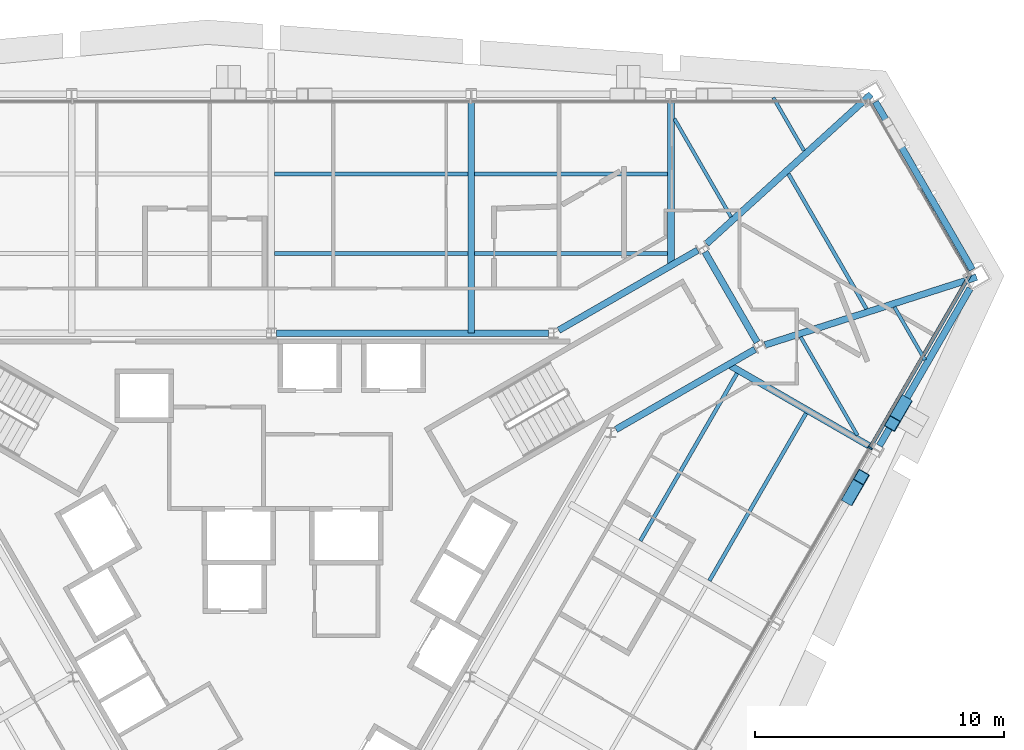
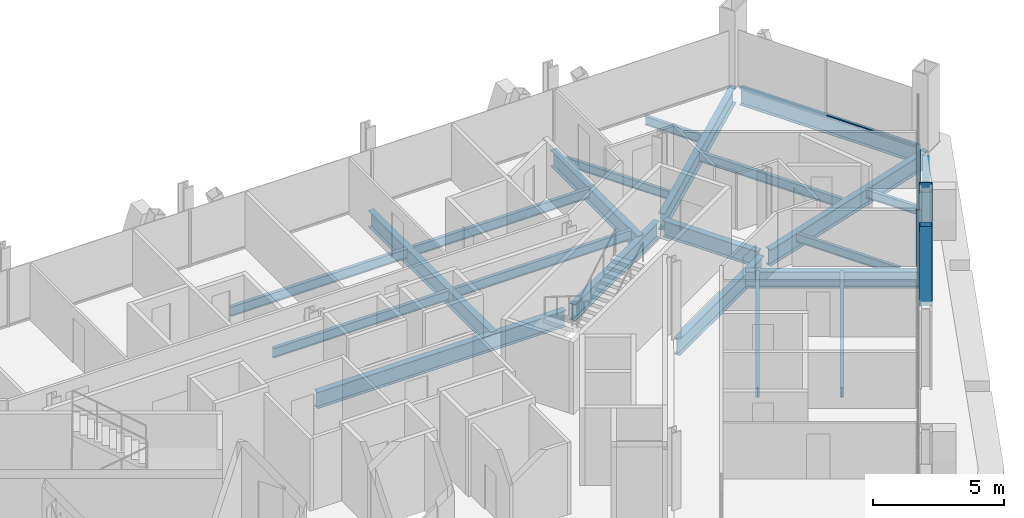
# One storey, part 7 of 16: 22 beams, 5 members, 2 elements without a shape of their own.
"""IFC4 building model written with IfcOpenShell, lengths in metres."""

from ifc_helpers import new_model, si_unit, direction, frame, origin, origin_2d, place, context, subcontext, project, spatial, rectangle, hollow_rectangle, i_section, extrude, material, material_profile, profile_set, type_object, element, aggregate, save


model = new_model("IFC4")

# Units and contexts
model_context = context("Model", 3, precision=1e-05, world=origin(), true_north=direction((0.0, 1.0)))
body_context = subcontext(model_context, "Body", "Model", "MODEL_VIEW")
ifc_project = project(units=[si_unit("LENGTHUNIT", "METRE"), si_unit("AREAUNIT", "SQUARE_METRE"), si_unit("VOLUMEUNIT", "CUBIC_METRE"), si_unit("PLANEANGLEUNIT", "RADIAN"), si_unit("MASSUNIT", "GRAM", prefix="KILO")], contexts=[model_context])

# Site, building, storey
site_placement = place(None, origin())
site = spatial("IfcSite", under=ifc_project, at=site_placement, CompositionType="ELEMENT")
building_placement = place(site_placement, origin())
building = spatial("IfcBuilding", under=site, at=building_placement, Name="Verrane Prism Tower", CompositionType="ELEMENT")
storey_placement = place(building_placement, frame((0.0, 0.0, 110.800048828125)))
storey = spatial("IfcBuildingStorey", under=building, at=storey_placement, Name="L26", CompositionType="ELEMENT", Elevation=110.800048828125)

# Beams
ifc_material_1 = material(Name="Steel A992", Category="steel")
ifc_material_profile_1 = material_profile(ifc_material_1, i_section(OverallWidth=0.2666015625, OverallDepth=0.76708984375, WebThickness=0.014892578125, FlangeThickness=0.023681640625, FilletRadius=0.0166015625, at=origin_2d()), Name="W30x124")
ifc_profile_set_1 = profile_set([ifc_material_profile_1], Name="Steel A992")
beam_type_1 = type_object("IfcBeamType", Name="Chamfer spandrel beam W30x124", PredefinedType="SPANDREL", material=ifc_profile_set_1)
beam_1_placement = place(storey_placement, frame((28.135009765625, 11.753173828125, -0.54345703125), z_axis=(-0.500214307011, 0.865901638214, 0.0), x_axis=(-0.865901638214, -0.500214307011, 0.0)))
element("IfcBeam", 1, at=beam_1_placement, inside=storey, type_object=beam_type_1, Name="Chamfer spandrel beam L26", PredefinedType="SPANDREL", context=body_context, shape_type="SweptSolid", body=[
    extrude(i_section(OverallWidth=0.2666015625, OverallDepth=0.76708984375, WebThickness=0.014892578125, FlangeThickness=0.023681640625, FilletRadius=0.0166015625, at=origin_2d()), origin(), (0.0, 0.0, 1.0), 7.7763671875),
])
ifc_material_2 = material(Name="Steel A992", Category="steel")
ifc_material_profile_2 = material_profile(ifc_material_2, i_section(OverallWidth=0.2666015625, OverallDepth=0.7568359375, WebThickness=0.013916015625, FlangeThickness=0.019287109375, FilletRadius=0.0166015625, at=origin_2d()), Name="W30x108")
ifc_profile_set_2 = profile_set([ifc_material_profile_2], Name="Steel A992")
beam_type_2 = type_object("IfcBeamType", Name="Core ring girder W30x108", PredefinedType="BEAM", material=ifc_profile_set_2)
beam_2_placement = place(storey_placement, frame((13.830810546875, 5.335693359375, -0.628662109375), z_axis=(0.866455532004, 0.499254254924, 0.0), x_axis=(-0.499254254924, 0.866455532004, 0.0)))
element("IfcBeam", 2, at=beam_2_placement, inside=storey, type_object=beam_type_2, Name="Core ring girder L26", PredefinedType="BEAM", context=body_context, shape_type="SweptSolid", body=[
    extrude(i_section(OverallWidth=0.2666015625, OverallDepth=0.7568359375, WebThickness=0.013916015625, FlangeThickness=0.019287109375, FilletRadius=0.0166015625, at=origin_2d()), origin(), (0.0, 0.0, 1.0), 6.441162109375),
])
beam_3_placement = place(storey_placement, frame((19.4970703125, 8.838134765625, -0.628662109375), z_axis=(-0.500367003619, 0.865813410435, 0.0), x_axis=(-0.865813410435, -0.500367003619, 0.0)))
element("IfcBeam", 3, at=beam_3_placement, inside=storey, type_object=beam_type_2, Name="Core ring girder L26", PredefinedType="BEAM", context=body_context, shape_type="SweptSolid", body=[
    extrude(i_section(OverallWidth=0.2666015625, OverallDepth=0.7568359375, WebThickness=0.013916015625, FlangeThickness=0.019287109375, FilletRadius=0.0166015625, at=origin_2d()), origin(), (0.0, 0.0, 1.0), 4.185302734375),
])
beam_4_placement = place(storey_placement, frame((17.11181640625, 12.531494140625, -0.628662109375), z_axis=(-0.866455532004, -0.499254254924, 0.0), x_axis=(0.499254254924, -0.866455532004, 0.0)))
element("IfcBeam", 4, at=beam_4_placement, inside=storey, type_object=beam_type_2, Name="Core ring girder L26", PredefinedType="BEAM", context=body_context, shape_type="SweptSolid", body=[
    extrude(i_section(OverallWidth=0.2666015625, OverallDepth=0.7568359375, WebThickness=0.013916015625, FlangeThickness=0.019287109375, FilletRadius=0.0166015625, at=origin_2d()), origin(), (0.0, 0.0, 1.0), 6.441162109375),
])
beam_5_placement = place(storey_placement, frame((11.12939453125, 9.199951171875, -0.628662109375), z_axis=(-1.0, 0.0, 0.0), x_axis=(0.0, -1.0, 0.0)))
element("IfcBeam", 5, at=beam_5_placement, inside=storey, type_object=beam_type_2, Name="Core ring girder L26", PredefinedType="BEAM", context=body_context, shape_type="SweptSolid", body=[
    extrude(i_section(OverallWidth=0.2666015625, OverallDepth=0.7568359375, WebThickness=0.013916015625, FlangeThickness=0.019287109375, FilletRadius=0.0166015625, at=origin_2d()), origin(), (0.0, 0.0, 1.0), 10.9287109375),
])
ifc_material_3 = material(Name="Steel A992", Category="steel")
ifc_material_profile_3 = material_profile(ifc_material_3, i_section(OverallWidth=0.2666015625, OverallDepth=0.76708984375, WebThickness=0.014892578125, FlangeThickness=0.023681640625, FilletRadius=0.0166015625, at=origin_2d()), Name="W30x124")
ifc_profile_set_3 = profile_set([ifc_material_profile_3], Name="Steel A992")
beam_type_3 = type_object("IfcBeamType", Name="Corner girder W30x124", PredefinedType="BEAM", material=ifc_profile_set_3)
beam_6_placement = place(storey_placement, frame((28.3056640625, 11.448486328125, -0.603515625), z_axis=(-0.952340206189, -0.305037918423, 0.0), x_axis=(0.305037918423, -0.952340206189, 0.0)))
element("IfcBeam", 6, at=beam_6_placement, inside=storey, type_object=beam_type_3, Name="Corner girder L26", PredefinedType="BEAM", context=body_context, shape_type="SweptSolid", body=[
    extrude(i_section(OverallWidth=0.2666015625, OverallDepth=0.76708984375, WebThickness=0.014892578125, FlangeThickness=0.023681640625, FilletRadius=0.0166015625, at=origin_2d()), origin(), (0.0, 0.0, 1.0), 8.919189453125),
])
beam_7_placement = place(storey_placement, frame((24.068115234375, 18.788330078125, -0.603515625), z_axis=(-0.740172818675, -0.67241668517, 0.0), x_axis=(0.67241668517, -0.740172818675, 0.0)))
element("IfcBeam", 7, at=beam_7_placement, inside=storey, type_object=beam_type_3, Name="Corner girder L26", PredefinedType="BEAM", context=body_context, shape_type="SweptSolid", body=[
    extrude(i_section(OverallWidth=0.2666015625, OverallDepth=0.76708984375, WebThickness=0.014892578125, FlangeThickness=0.023681640625, FilletRadius=0.0166015625, at=origin_2d()), origin(), (0.0, 0.0, 1.0), 8.921630859375),
])

# Members
ifc_material_4 = material(Name="Steel A1085 Grade A", Category="steel")
ifc_material_profile_4 = material_profile(ifc_material_4, hollow_rectangle(XDim=0.508056640625, YDim=0.508056640625, WallThickness=0.025390625, InnerFilletRadius=0.0126953125, OuterFilletRadius=0.0380859375, at=origin_2d()), Name="HSS20x20x1")
ifc_profile_set_4 = profile_set([ifc_material_profile_4], Name="Steel A1085 Grade A")
member_type_1 = type_object("IfcMemberType", Name="Facade brace HSS20x20x1", PredefinedType="BRACE", material=ifc_profile_set_4)
member_1_placement = place(storey_placement, frame((23.198486328125, 2.595947265625, -0.24267578125), z_axis=(0.152022973203, 0.262753846869, 0.952811330524), x_axis=(-0.865565771003, 0.500795263623, 0.0)))
element("IfcMember", 8, at=member_1_placement, inside=storey, type_object=member_type_1, Name="Facade brace SE4 L26", PredefinedType="BRACE", context=body_context, shape_type="SweptSolid", body=[
    extrude(hollow_rectangle(XDim=0.508056640625, YDim=0.508056640625, WallThickness=0.025390625, InnerFilletRadius=0.0126953125, OuterFilletRadius=0.0380859375, at=origin_2d()), origin(), (0.0, 0.0, 1.0), 3.1572265625),
])
member_2_placement = place(storey_placement, frame((25.398681640625, 6.404052734375, -0.24267578125), z_axis=(-0.151645245186, -0.262769272383, 0.952867267306), x_axis=(0.866117682712, -0.499840134137, 0.0)))
element("IfcMember", 9, at=member_2_placement, inside=storey, type_object=member_type_1, Name="Facade brace SE5 L26", PredefinedType="BRACE", context=body_context, shape_type="SweptSolid", body=[
    extrude(hollow_rectangle(XDim=0.508056640625, YDim=0.508056640625, WallThickness=0.025390625, InnerFilletRadius=0.0126953125, OuterFilletRadius=0.0380859375, at=origin_2d()), origin(), (0.0, 0.0, 1.0), 3.156982421875),
])

# Beams
ifc_material_5 = material(Name="Steel A992", Category="steel")
ifc_material_profile_5 = material_profile(ifc_material_5, i_section(OverallWidth=0.140380859375, OverallDepth=0.40380859375, WebThickness=0.007080078125, FlangeThickness=0.01123046875, FilletRadius=0.01025390625, at=origin_2d()), Name="W16x31")
ifc_profile_set_5 = profile_set([ifc_material_profile_5], Name="Steel A992")
beam_type_4 = type_object("IfcBeamType", Name="Floor beam W16x31", PredefinedType="BEAM", material=ifc_profile_set_5)
beam_8_placement = place(storey_placement, frame((21.37744140625, 16.5244140625, -0.362060546875), z_axis=(-0.500000007376, 0.866025399526, 0.0), x_axis=(-0.866025399526, -0.500000007376, 0.0)))
element("IfcBeam", 10, at=beam_8_placement, inside=storey, type_object=beam_type_4, Name="Floor beam L26", PredefinedType="BEAM", context=body_context, shape_type="SweptSolid", body=[
    extrude(i_section(OverallWidth=0.140380859375, OverallDepth=0.40380859375, WebThickness=0.007080078125, FlangeThickness=0.01123046875, FilletRadius=0.01025390625, at=origin_2d()), origin(), (0.0, 0.0, 1.0), 2.4619140625),
])
beam_9_placement = place(storey_placement, frame((18.4501953125, 13.864990234375, -0.362060546875), z_axis=(-0.500008678503, 0.86602039319, 0.0), x_axis=(-0.86602039319, -0.500008678503, 0.0)))
element("IfcBeam", 11, at=beam_9_placement, inside=storey, type_object=beam_type_4, Name="Floor beam L26", PredefinedType="BEAM", context=body_context, shape_type="SweptSolid", body=[
    extrude(i_section(OverallWidth=0.140380859375, OverallDepth=0.40380859375, WebThickness=0.007080078125, FlangeThickness=0.01123046875, FilletRadius=0.01025390625, at=origin_2d()), origin(), (0.0, 0.0, 1.0), 4.55322265625),
])
beam_10_placement = place(storey_placement, frame((26.23583984375, 8.122314453125, -0.362060546875), z_axis=(-0.500026134388, 0.866010314562, 0.0), x_axis=(-0.866010314562, -0.500026134388, 0.0)))
element("IfcBeam", 12, at=beam_10_placement, inside=storey, type_object=beam_type_4, Name="Floor beam L26", PredefinedType="BEAM", context=body_context, shape_type="SweptSolid", body=[
    extrude(i_section(OverallWidth=0.140380859375, OverallDepth=0.40380859375, WebThickness=0.007080078125, FlangeThickness=0.01123046875, FilletRadius=0.01025390625, at=origin_2d()), origin(), (0.0, 0.0, 1.0), 2.458740234375),
])
beam_11_placement = place(storey_placement, frame((23.5205078125, 5.104736328125, -0.362060546875), z_axis=(-0.500004125498, 0.866023021914, 0.0), x_axis=(-0.866023021914, -0.500004125498, 0.0)))
element("IfcBeam", 13, at=beam_11_placement, inside=storey, type_object=beam_type_4, Name="Floor beam L26", PredefinedType="BEAM", context=body_context, shape_type="SweptSolid", body=[
    extrude(i_section(OverallWidth=0.140380859375, OverallDepth=0.40380859375, WebThickness=0.007080078125, FlangeThickness=0.01123046875, FilletRadius=0.01025390625, at=origin_2d()), origin(), (0.0, 0.0, 1.0), 4.5517578125),
])
ifc_material_6 = material(Name="Steel A992", Category="steel")
ifc_material_profile_6 = material_profile(ifc_material_6, i_section(OverallWidth=0.15234375, OverallDepth=0.449462890625, WebThickness=0.007568359375, FlangeThickness=0.0107421875, FilletRadius=0.01025390625, at=origin_2d()), Name="W18x35")
ifc_profile_set_6 = profile_set([ifc_material_profile_6], Name="Steel A992")
beam_type_5 = type_object("IfcBeamType", Name="Floor beam W18x35", PredefinedType="BEAM", material=ifc_profile_set_6)
for number, where, z_axis, x_axis, name in (
    (14, (8.153564453125, 12.396728515625, -0.384765625), (1.0, 0.0, 0.0), (0.0, 1.0, 0.0), "Floor beam L26"),
    (15, (8.153564453125, 15.59326171875, -0.384765625), (1.0, 0.0, 0.0), (0.0, 1.0, 0.0), "Floor beam L26"),
    (16, (0.133544921875, 12.396728515625, -0.384765625), (1.0, 0.0, 0.0), (0.0, 1.0, 0.0), "Floor beam L26"),
    (17, (0.133544921875, 15.59326171875, -0.384765625), (1.0, 0.0, 0.0), (0.0, 1.0, 0.0), "Floor beam L26"),
):
    element("IfcBeam", number, at=place(storey_placement, frame(where, z_axis=z_axis, x_axis=x_axis)), inside=storey, type_object=beam_type_5, Name=name, PredefinedType="BEAM", context=body_context, shape_type="SweptSolid", body=[
        extrude(i_section(OverallWidth=0.15234375, OverallDepth=0.449462890625, WebThickness=0.007568359375, FlangeThickness=0.0107421875, FilletRadius=0.01025390625, at=origin_2d()), origin(), (0.0, 0.0, 1.0), 7.7529296875),
    ])
beam_12_placement = place(storey_placement, frame((17.58056640625, -0.736572265625, -0.384765625), z_axis=(0.499974721637, 0.866039997762, 0.0), x_axis=(-0.866039997762, 0.499974721637, 0.0)))
element("IfcBeam", 18, at=beam_12_placement, inside=storey, type_object=beam_type_5, Name="Floor beam L26", PredefinedType="BEAM", context=body_context, shape_type="SweptSolid", body=[
    extrude(i_section(OverallWidth=0.15234375, OverallDepth=0.449462890625, WebThickness=0.007568359375, FlangeThickness=0.0107421875, FilletRadius=0.01025390625, at=origin_2d()), origin(), (0.0, 0.0, 1.0), 7.76318359375),
])
beam_13_placement = place(storey_placement, frame((14.80859375, 0.864501953125, -0.384765625), z_axis=(0.500014594887, 0.866016977259, 0.0), x_axis=(-0.866016977259, 0.500014594887, 0.0)))
element("IfcBeam", 19, at=beam_13_placement, inside=storey, type_object=beam_type_5, Name="Floor beam L26", PredefinedType="BEAM", context=body_context, shape_type="SweptSolid", body=[
    extrude(i_section(OverallWidth=0.15234375, OverallDepth=0.449462890625, WebThickness=0.007568359375, FlangeThickness=0.0107421875, FilletRadius=0.01025390625, at=origin_2d()), origin(), (0.0, 0.0, 1.0), 7.764404296875),
])
beam_14_placement = place(storey_placement, frame((23.8857421875, 10.173095703125, -0.384765625), z_axis=(-0.50001262068, 0.866018117109, 0.0), x_axis=(-0.866018117109, -0.50001262068, 0.0)))
element("IfcBeam", 20, at=beam_14_placement, inside=storey, type_object=beam_type_5, Name="Floor beam L26", PredefinedType="BEAM", context=body_context, shape_type="SweptSolid", body=[
    extrude(i_section(OverallWidth=0.15234375, OverallDepth=0.449462890625, WebThickness=0.007568359375, FlangeThickness=0.0107421875, FilletRadius=0.01025390625, at=origin_2d()), origin(), (0.0, 0.0, 1.0), 6.263427734375),
])

# Curtain wall, member
ifc_material_7 = material(Name="Aluminium framed insulated glazing", Category="aluminium")
curtain_wall_type_1 = type_object("IfcCurtainWallType", Name="Curtain wall CW-A 8400 module", PredefinedType="NOTDEFINED", material=ifc_material_7)
curtain_wall_1_placement = place(storey_placement, origin())
curtain_wall_1 = element("IfcCurtainWall", 21, at=curtain_wall_1_placement, inside=storey, type_object=curtain_wall_type_1, Name="Glazed curtain wall south-east face L26", PredefinedType="NOTDEFINED")
ifc_material_8 = material(Name="Aluminium alloy 6063-T6", Category="aluminium")
ifc_material_profile_7 = material_profile(ifc_material_8, rectangle(XDim=0.199951171875, YDim=0.070068359375, at=origin_2d()), Name="Mullion 70x200 aluminium")
ifc_profile_set_7 = profile_set([ifc_material_profile_7], Name="Aluminium alloy 6063-T6")
member_type_2 = type_object("IfcMemberType", Name="Mullion 70x200 aluminium", PredefinedType="MULLION", material=ifc_profile_set_7)
member_3_placement = place(storey_placement, frame((24.029052734375, 4.597412109375, 0.0), z_axis=(0.0, 0.0, 1.0), x_axis=(-0.866025402318, 0.500000002539, 0.0)))
member_3 = element("IfcMember", 22, at=member_3_placement, type_object=member_type_2, Name="CW24.6 mullion 6", PredefinedType="MULLION", context=body_context, shape_type="SweptSolid", body=[
    extrude(rectangle(XDim=0.199951171875, YDim=0.070068359375, at=origin_2d()), origin(), (0.0, 0.0, 1.0), 2.61279296875),
])

# Beams
ifc_material_9 = material(Name="Steel A992", Category="steel")
ifc_material_profile_8 = material_profile(ifc_material_9, i_section(OverallWidth=0.2666015625, OverallDepth=0.76708984375, WebThickness=0.014892578125, FlangeThickness=0.023681640625, FilletRadius=0.0166015625, at=origin_2d()), Name="W30x124")
ifc_profile_set_8 = profile_set([ifc_material_profile_8], Name="Steel A992")
beam_type_6 = type_object("IfcBeamType", Name="Radial girder W30x124", PredefinedType="BEAM", material=ifc_profile_set_8)
beam_15_placement = place(storey_placement, frame((16.0400390625, 18.552490234375, -0.603515625), z_axis=(0.0, -1.0, 0.0), x_axis=(1.0, 0.0, 0.0)))
element("IfcBeam", 23, at=beam_15_placement, inside=storey, type_object=beam_type_6, Name="Radial girder L26", PredefinedType="BEAM", context=body_context, shape_type="SweptSolid", body=[
    extrude(i_section(OverallWidth=0.2666015625, OverallDepth=0.76708984375, WebThickness=0.014892578125, FlangeThickness=0.023681640625, FilletRadius=0.0166015625, at=origin_2d()), origin(), (0.0, 0.0, 1.0), 6.638427734375),
])
beam_16_placement = place(storey_placement, frame((8.02001953125, 18.552490234375, -0.603515625), z_axis=(0.0, -1.0, 0.0), x_axis=(1.0, 0.0, 0.0)))
element("IfcBeam", 24, at=beam_16_placement, inside=storey, type_object=beam_type_6, Name="Radial girder L26", PredefinedType="BEAM", context=body_context, shape_type="SweptSolid", body=[
    extrude(i_section(OverallWidth=0.2666015625, OverallDepth=0.76708984375, WebThickness=0.014892578125, FlangeThickness=0.023681640625, FilletRadius=0.0166015625, at=origin_2d()), origin(), (0.0, 0.0, 1.0), 9.3525390625),
])
beam_17_placement = place(storey_placement, frame((24.09423828125, 4.61865234375, -0.603515625), z_axis=(-0.866011622103, 0.500023869813, 0.0), x_axis=(-0.500023869813, -0.866011622103, 0.0)))
element("IfcBeam", 25, at=beam_17_placement, inside=storey, type_object=beam_type_6, Name="Radial girder L26", PredefinedType="BEAM", context=body_context, shape_type="SweptSolid", body=[
    extrude(i_section(OverallWidth=0.2666015625, OverallDepth=0.76708984375, WebThickness=0.014892578125, FlangeThickness=0.023681640625, FilletRadius=0.0166015625, at=origin_2d()), origin(), (0.0, 0.0, 1.0), 6.637451171875),
])
ifc_material_10 = material(Name="Steel A992", Category="steel")
ifc_material_profile_9 = material_profile(ifc_material_10, i_section(OverallWidth=0.2666015625, OverallDepth=0.7568359375, WebThickness=0.013916015625, FlangeThickness=0.019287109375, FilletRadius=0.0166015625, at=origin_2d()), Name="W30x108")
ifc_profile_set_9 = profile_set([ifc_material_profile_9], Name="Steel A992")
beam_type_7 = type_object("IfcBeamType", Name="Spandrel beam W30x108", PredefinedType="SPANDREL", material=ifc_profile_set_9)
beam_18_placement = place(storey_placement, frame((24.406005859375, 4.68359375, -0.53857421875), z_axis=(0.499743707602, 0.866173323713, 0.0), x_axis=(-0.866173323713, 0.499743707602, 0.0)))
element("IfcBeam", 26, at=beam_18_placement, inside=storey, type_object=beam_type_7, Name="Spandrel beam L26", PredefinedType="SPANDREL", context=body_context, shape_type="SweptSolid", body=[
    extrude(i_section(OverallWidth=0.2666015625, OverallDepth=0.7568359375, WebThickness=0.013916015625, FlangeThickness=0.019287109375, FilletRadius=0.0166015625, at=origin_2d()), origin(), (0.0, 0.0, 1.0), 7.292236328125),
])

# Curtain wall, member
ifc_material_11 = material(Name="Aluminium framed insulated glazing", Category="aluminium")
curtain_wall_type_2 = type_object("IfcCurtainWallType", Name="Curtain wall CW-C 4200 module", PredefinedType="NOTDEFINED", material=ifc_material_11)
curtain_wall_2_placement = place(storey_placement, origin())
curtain_wall_2 = element("IfcCurtainWall", 27, at=curtain_wall_2_placement, inside=storey, type_object=curtain_wall_type_2, Name="Glazed curtain wall north-east corner L26", PredefinedType="NOTDEFINED")
ifc_material_12 = material(Name="Aluminium alloy 6063-T6", Category="aluminium")
ifc_material_profile_10 = material_profile(ifc_material_12, rectangle(XDim=0.10009765625, YDim=0.050048828125, at=origin_2d()), Name="Transom 50x100 aluminium")
ifc_profile_set_10 = profile_set([ifc_material_profile_10], Name="Aluminium alloy 6063-T6")
member_type_3 = type_object("IfcMemberType", Name="Transom 50x100 aluminium", PredefinedType="USERDEFINED", material=ifc_profile_set_10)
member_4_placement = place(storey_placement, frame((28.0029296875, 11.5673828125, 0.02490234375), z_axis=(-0.500012495779, 0.866018189223, 0.0), x_axis=(-0.866018189223, -0.500012495779, 0.0)))
member_4 = element("IfcMember", 28, at=member_4_placement, type_object=member_type_3, Name="CW24.1 transom 1", ObjectType="TRANSOM", PredefinedType="USERDEFINED", context=body_context, shape_type="SweptSolid", body=[
    extrude(rectangle(XDim=0.10009765625, YDim=0.050048828125, at=origin_2d()), origin(), (0.0, 0.0, 1.0), 3.958984375),
])
aggregate(curtain_wall_2, [member_4])

# Member
ifc_material_13 = material(Name="Aluminium alloy 6063-T6", Category="aluminium")
ifc_material_profile_11 = material_profile(ifc_material_13, rectangle(XDim=0.14990234375, YDim=0.070068359375, at=origin_2d()), Name="Transom 70x150 aluminium")
ifc_profile_set_11 = profile_set([ifc_material_profile_11], Name="Aluminium alloy 6063-T6")
member_type_4 = type_object("IfcMemberType", Name="Transom 70x150 aluminium", PredefinedType="USERDEFINED", material=ifc_profile_set_11)
member_5_placement = place(storey_placement, frame((24.04638671875, 4.6279296875, 0.034912109375), z_axis=(0.500026772375, 0.866009946195, 0.0), x_axis=(-0.866009946195, 0.500026772375, 0.0)))
member_5 = element("IfcMember", 29, at=member_5_placement, type_object=member_type_4, Name="CW24.6 transom 6", ObjectType="TRANSOM", PredefinedType="USERDEFINED", context=body_context, shape_type="SweptSolid", body=[
    extrude(rectangle(XDim=0.14990234375, YDim=0.070068359375, at=origin_2d()), origin(), (0.0, 0.0, 1.0), 7.962890625),
])

aggregate(curtain_wall_1, [member_3, member_5])

save(model, "model.ifc")
